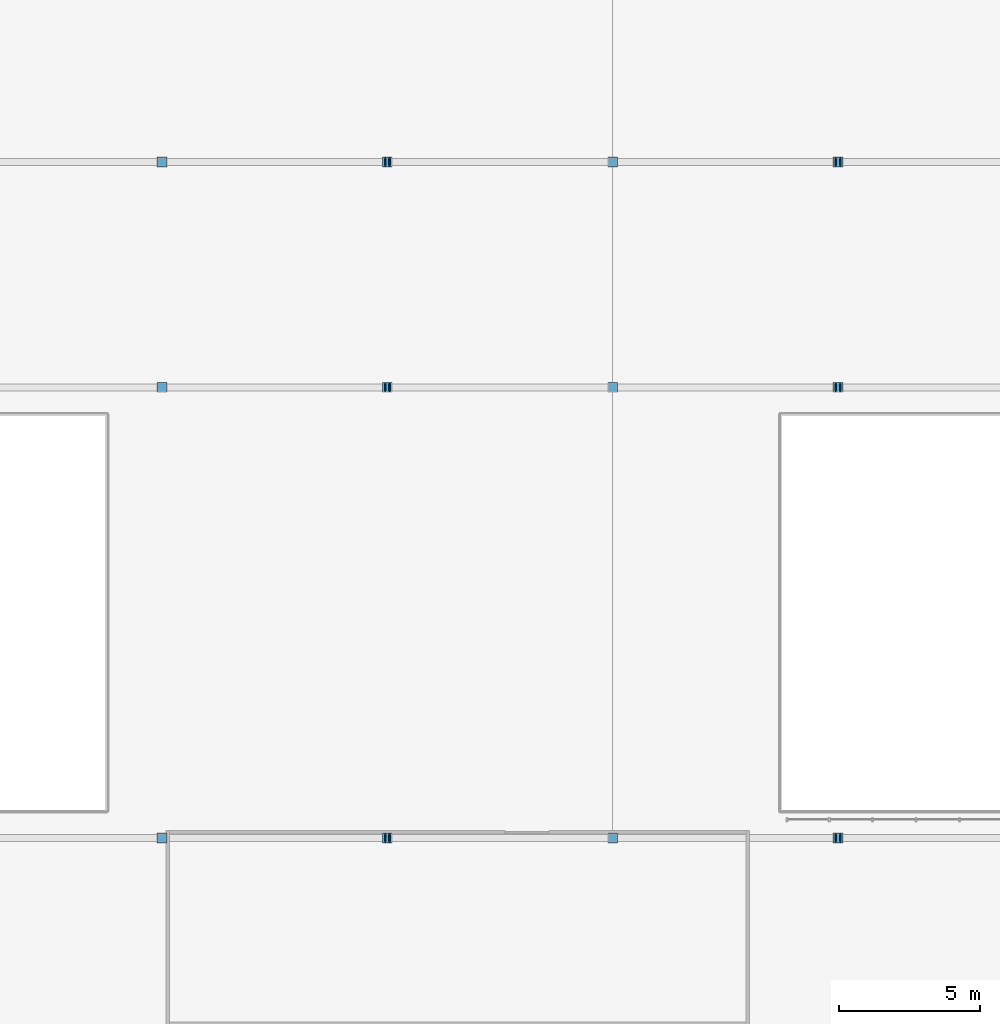
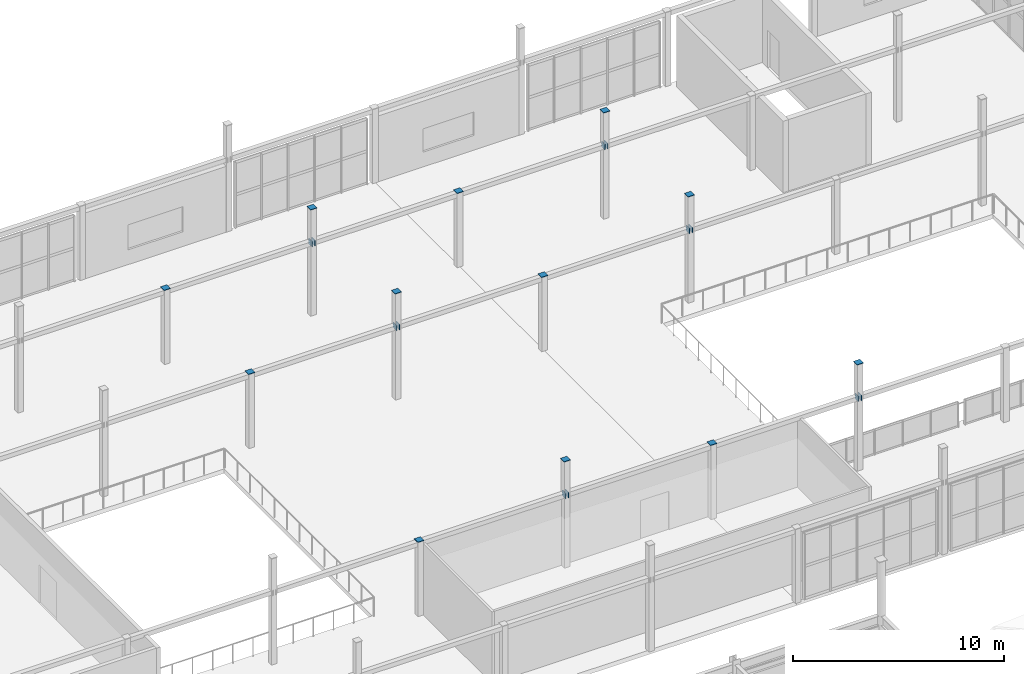
# One storey, part 66 of 83: 24 discrete accessories.
"""IFC4 building model written with IfcOpenShell, lengths in metres."""

from ifc_helpers import new_model, si_unit, direction, frame, origin, origin_2d, place, context, subcontext, project, spatial, rectangle, extrude, material, type_object, element, save


model = new_model("IFC4")

# Units and contexts
model_context = context("Model", 3, precision=1e-05, world=origin(), true_north=direction((0.0, 1.0)))
body_context = subcontext(model_context, "Body", "Model", "MODEL_VIEW")
ifc_project = project(units=[si_unit("LENGTHUNIT", "METRE"), si_unit("AREAUNIT", "SQUARE_METRE"), si_unit("VOLUMEUNIT", "CUBIC_METRE"), si_unit("PLANEANGLEUNIT", "RADIAN"), si_unit("MASSUNIT", "GRAM", prefix="KILO")], contexts=[model_context])

# Site, building, storey
site_placement = place(None, origin())
site = spatial("IfcSite", under=ifc_project, at=site_placement, CompositionType="ELEMENT")
building_placement = place(site_placement, origin())
building = spatial("IfcBuilding", under=site, at=building_placement, Name="Drelvath Fold Interchange", CompositionType="ELEMENT")
storey_placement = place(building_placement, frame((0.0, 0.0, 11.199951171875)))
storey = spatial("IfcBuildingStorey", under=building, at=storey_placement, Name="L02", CompositionType="ELEMENT", Elevation=11.199951171875)

# Discrete accessories
ifc_material = material(Name="Steel ASTM A572 Grade 50", Category="steel")
discrete_accessory_type = type_object("IfcDiscreteAccessoryType", Name="AC-CAP380", PredefinedType="BRACKET", material=ifc_material)
for number, where, z_axis, x_axis, name in (
    (1, (36.0, 67.0, 4.2900390625), (0.0, 0.0, 1.0), (1.0, 0.0, 0.0), "Welded hollow column end cap 56"),
    (2, (36.0, 83.0, 4.2900390625), (0.0, 0.0, 1.0), (1.0, 0.0, 0.0), "Welded hollow column end cap 57"),
    (3, (36.0, 91.0, 4.2900390625), (0.0, 0.0, 1.0), (1.0, 0.0, 0.0), "Welded hollow column end cap 58"),
    (4, (44.0, 67.0, 6.14013671875), (0.0, 0.0, 1.0), (1.0, 0.0, 0.0), "Welded hollow column end cap 61"),
    (5, (44.0, 83.0, 6.14013671875), (0.0, 0.0, 1.0), (1.0, 0.0, 0.0), "Welded hollow column end cap 62"),
    (6, (44.0, 91.0, 6.14013671875), (0.0, 0.0, 1.0), (1.0, 0.0, 0.0), "Welded hollow column end cap 63"),
    (7, (52.0, 67.0, 4.2900390625), (0.0, 0.0, 1.0), (1.0, 0.0, 0.0), "Welded hollow column end cap 68"),
    (8, (52.0, 83.0, 4.2900390625), (0.0, 0.0, 1.0), (1.0, 0.0, 0.0), "Welded hollow column end cap 69"),
    (9, (52.0, 91.0, 4.2900390625), (0.0, 0.0, 1.0), (1.0, 0.0, 0.0), "Welded hollow column end cap 70"),
    (10, (60.0, 67.0, 6.14013671875), (0.0, 0.0, 1.0), (1.0, 0.0, 0.0), "Welded hollow column end cap 73"),
    (11, (60.0, 83.0, 6.14013671875), (0.0, 0.0, 1.0), (1.0, 0.0, 0.0), "Welded hollow column end cap 74"),
    (12, (60.0, 91.0, 6.14013671875), (0.0, 0.0, 1.0), (1.0, 0.0, 0.0), "Welded hollow column end cap 75"),
):
    element("IfcDiscreteAccessory", number, at=place(storey_placement, frame(where, z_axis=z_axis, x_axis=x_axis)), inside=storey, type_object=discrete_accessory_type, Name=name, PredefinedType="BRACKET", context=body_context, shape_type="SweptSolid", body=[
        extrude(rectangle(XDim=0.344970703125, YDim=0.344970703125, at=origin_2d()), origin(), (0.0, 0.0, 1.0), 0.030029296875),
    ])
for number, where, z_axis, x_axis, name in (
    (13, (43.925048828125, 67.0, 3.9931640625), (0.0, 0.0, 1.0), (1.0, 0.0, 0.0), "Welded hollow member end cap 382"),
    (14, (43.925048828125, 83.0, 3.9931640625), (0.0, 0.0, 1.0), (1.0, 0.0, 0.0), "Welded hollow member end cap 385"),
    (15, (43.925048828125, 91.0, 3.9931640625), (0.0, 0.0, 1.0), (1.0, 0.0, 0.0), "Welded hollow member end cap 388"),
    (16, (44.074951171875, 67.0, 3.9931640625), (0.0, 0.0, 1.0), (1.0, 0.0, 0.0), "Welded hollow member end cap 406"),
    (17, (44.074951171875, 83.0, 3.9931640625), (0.0, 0.0, 1.0), (1.0, 0.0, 0.0), "Welded hollow member end cap 408"),
    (18, (44.074951171875, 91.0, 3.9931640625), (0.0, 0.0, 1.0), (1.0, 0.0, 0.0), "Welded hollow member end cap 410"),
    (19, (59.925048828125, 67.0, 3.9931640625), (0.0, 0.0, 1.0), (1.0, 0.0, 0.0), "Welded hollow member end cap 427"),
    (20, (59.925048828125, 83.0, 3.9931640625), (0.0, 0.0, 1.0), (1.0, 0.0, 0.0), "Welded hollow member end cap 430"),
    (21, (59.925048828125, 91.0, 3.9931640625), (0.0, 0.0, 1.0), (1.0, 0.0, 0.0), "Welded hollow member end cap 433"),
    (22, (60.074951171875, 67.0, 3.9931640625), (0.0, 0.0, 1.0), (1.0, 0.0, 0.0), "Welded hollow member end cap 451"),
    (23, (60.074951171875, 83.0, 3.9931640625), (0.0, 0.0, 1.0), (1.0, 0.0, 0.0), "Welded hollow member end cap 453"),
    (24, (60.074951171875, 91.0, 3.9931640625), (0.0, 0.0, 1.0), (1.0, 0.0, 0.0), "Welded hollow member end cap 455"),
):
    element("IfcDiscreteAccessory", number, at=place(storey_placement, frame(where, z_axis=z_axis, x_axis=x_axis)), inside=storey, type_object=discrete_accessory_type, Name=name, PredefinedType="BRACKET", context=body_context, shape_type="SweptSolid", body=[
        extrude(rectangle(XDim=0.0400390625, YDim=0.31396484375, at=origin_2d()), origin(), (0.0, 0.0, 1.0), 0.31396484375),
    ])

save(model, "model.ifc")
